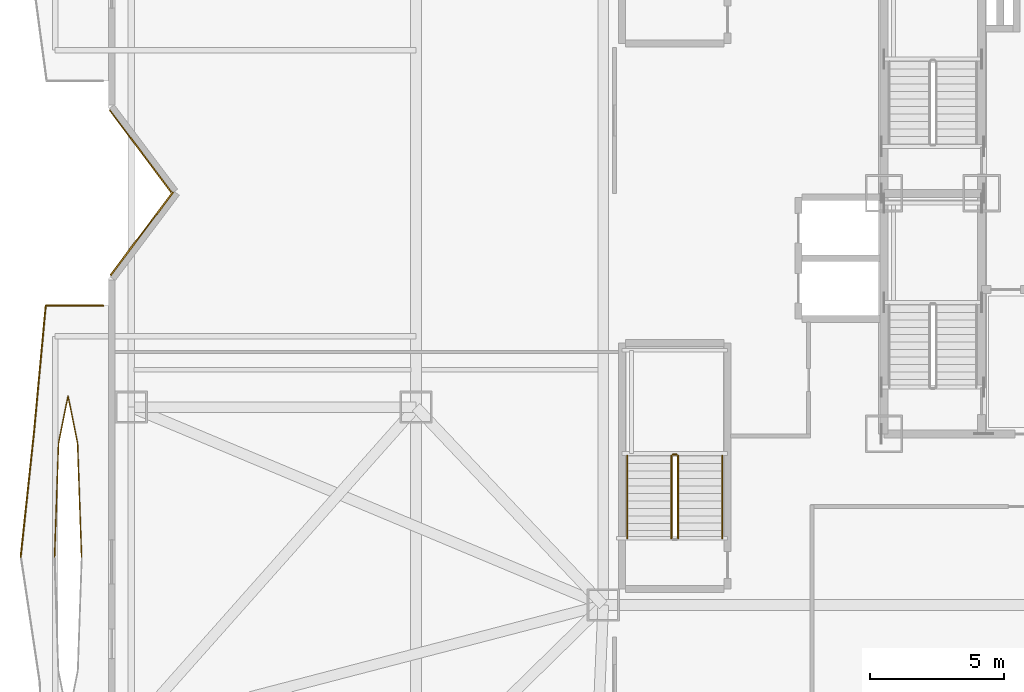
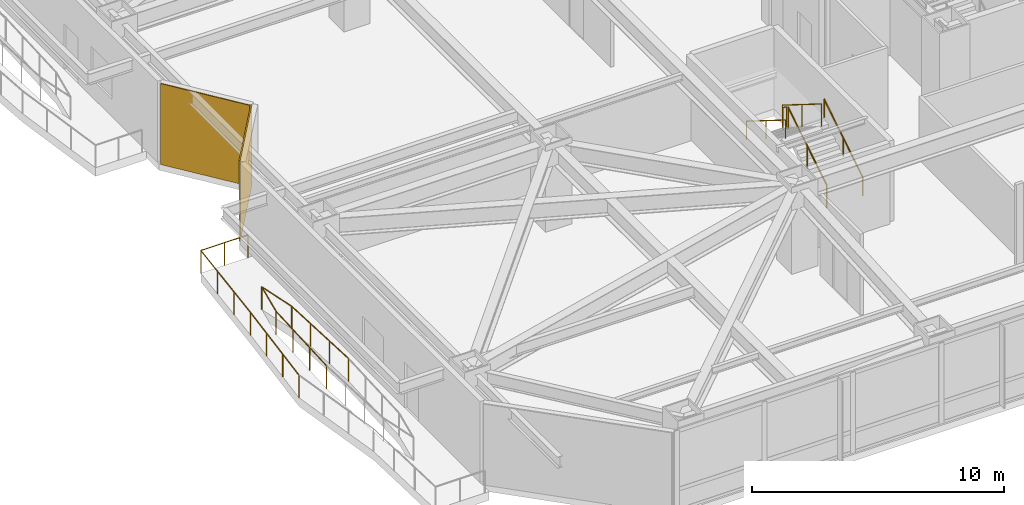
# One storey, part 27 of 32: 7 railings, 2 coverings.
"""IFC4 building model written with IfcOpenShell, lengths in metres."""

from ifc_helpers import new_model, si_unit, direction, frame, origin, origin_2d, place, context, subcontext, project, spatial, rectangle, circle, extrude, material, layer, layer_set, type_object, element, save


model = new_model("IFC4")

# Units and contexts
model_context = context("Model", 3, precision=1e-05, world=origin(), true_north=direction((0.0, 1.0)))
body_context = subcontext(model_context, "Body", "Model", "MODEL_VIEW")
ifc_project = project(units=[si_unit("LENGTHUNIT", "METRE"), si_unit("AREAUNIT", "SQUARE_METRE"), si_unit("VOLUMEUNIT", "CUBIC_METRE"), si_unit("PLANEANGLEUNIT", "RADIAN"), si_unit("MASSUNIT", "GRAM", prefix="KILO")], contexts=[model_context])

# Site, building, storey
site_placement = place(None, origin())
site = spatial("IfcSite", under=ifc_project, at=site_placement, CompositionType="ELEMENT")
building_placement = place(site_placement, origin())
building = spatial("IfcBuilding", under=site, at=building_placement, Name="Khamvora Tower", CompositionType="ELEMENT")
storey_placement = place(building_placement, frame((0.0, 0.0, 12.0)))
storey = spatial("IfcBuildingStorey", under=building, at=storey_placement, Name="L02", CompositionType="ELEMENT", Elevation=12.0)

# Coverings
ifc_material_1 = material(Name="Pale Anodised Aluminium Rainscreen Panel", Category="aluminium")
ifc_layer_1 = layer(ifc_material_1, 0.044921875)
ifc_layer_set_1 = layer_set([ifc_layer_1], Name="Pale Anodised Aluminium Rainscreen Panel")
covering_type_1 = type_object("IfcCoveringType", Name="COV-CLD-ALU", PredefinedType="CLADDING", material=ifc_layer_set_1)
covering_1_placement = place(storey_placement, frame((1.193115234375, 29.5791015625, 0.0), z_axis=(0.0, 0.0, 1.0), x_axis=(-0.600000000002, 0.799999999998, 0.0)))
element("IfcCovering", 1, at=covering_1_placement, inside=storey, type_object=covering_type_1, Name="L02 chamfer rainscreen cladding 04.1", PredefinedType="CLADDING", context=body_context, shape_type="SweptSolid", body=[
    extrude(rectangle(XDim=3.844970703125, YDim=0.044921875, at=origin_2d()), origin(), (0.0, 0.0, 1.0), 3.919921875),
])
ifc_material_2 = material(Name="Anodised Bronze Aluminium Spandrel Panel", Category="aluminium")
ifc_layer_2 = layer(ifc_material_2, 0.054931640625)
ifc_layer_set_2 = layer_set([ifc_layer_2], Name="Anodised Bronze Aluminium Spandrel Panel")
covering_type_2 = type_object("IfcCoveringType", Name="COV-CLD-BRZ", PredefinedType="CLADDING", material=ifc_layer_set_2)
covering_2_placement = place(storey_placement, frame((1.243896484375, 26.488037109375, 0.0), z_axis=(0.0, 0.0, 1.0), x_axis=(0.600040135704, 0.799969896649, 0.0)))
element("IfcCovering", 2, at=covering_2_placement, inside=storey, type_object=covering_type_2, Name="L02 chamfer rainscreen cladding 03.1", PredefinedType="CLADDING", context=body_context, shape_type="SweptSolid", body=[
    extrude(rectangle(XDim=3.885986328125, YDim=0.054931640625, at=origin_2d()), origin(), (0.0, 0.0, 1.0), 3.919921875),
])

# Railings
ifc_material_3 = material(Name="Stainless Steel 316 and Laminated Glass", Category="steel")
railing_type_1 = type_object("IfcRailingType", Name="RAL-GAL-1120", PredefinedType="GUARDRAIL", material=ifc_material_3)
railing_1_placement = place(storey_placement, frame((-3.2880859375, 14.39990234375, 0.0)))
element("IfcRailing", 3, at=railing_1_placement, inside=storey, type_object=railing_type_1, Name="L02 lens gallery north perimeter guardrail WL1", PredefinedType="GUARDRAIL", context=body_context, shape_type="SweptSolid", body=[
    extrude(circle(Radius=0.02392578125, at=origin_2d()), frame((0.0, 0.0, 1.09619140625), z_axis=(0.106241333318, 0.994340373863, 0.0), x_axis=(-0.994340373863, 0.106241333318, 0.0)), (0.0, 0.0, 1.0), 4.72705078125),
    extrude(circle(Radius=0.02392578125, at=origin_2d()), frame((0.502197265625, 4.7001953125, 1.09619140625), z_axis=(0.092121283105, 0.995747793971, 0.0), x_axis=(-0.995747793971, 0.092121283105, 0.0)), (0.0, 0.0, 1.0), 4.719970703125),
    extrude(circle(Radius=0.02392578125, at=origin_2d()), frame((0.93701171875, 9.400146484375, 1.09619140625), z_axis=(1.0, 0.0, 0.0), x_axis=(0.0, 1.0, 0.0)), (0.0, 0.0, 1.0), 2.151123046875),
    extrude(circle(Radius=0.02099609375, at=origin_2d()), origin(), (0.0, 0.0, 1.0), 1.072021484375),
    extrude(circle(Radius=0.02099609375, at=origin_2d()), frame((0.16748046875, 1.566650390625, 0.0)), (0.0, 0.0, 1.0), 1.072021484375),
    extrude(circle(Radius=0.02099609375, at=origin_2d()), frame((0.334716796875, 3.133544921875, 0.0)), (0.0, 0.0, 1.0), 1.072021484375),
    extrude(circle(Radius=0.02099609375, at=origin_2d()), frame((0.502197265625, 4.7001953125, 0.0)), (0.0, 0.0, 1.0), 1.072021484375),
    extrude(circle(Radius=0.02099609375, at=origin_2d()), frame((0.647216796875, 6.266845703125, 0.0)), (0.0, 0.0, 1.0), 1.072021484375),
    extrude(circle(Radius=0.02099609375, at=origin_2d()), frame((0.7919921875, 7.83349609375, 0.0)), (0.0, 0.0, 1.0), 1.072021484375),
    extrude(circle(Radius=0.02099609375, at=origin_2d()), frame((0.93701171875, 9.400146484375, 0.0)), (0.0, 0.0, 1.0), 1.072021484375),
    extrude(circle(Radius=0.02099609375, at=origin_2d()), frame((2.0126953125, 9.400146484375, 0.0)), (0.0, 0.0, 1.0), 1.072021484375),
    extrude(circle(Radius=0.02099609375, at=origin_2d()), frame((3.088134765625, 9.400146484375, 0.0)), (0.0, 0.0, 1.0), 1.072021484375),
])
railing_2_placement = place(storey_placement, frame((-1.010986328125, 14.39990234375, 0.0)))
element("IfcRailing", 4, at=railing_2_placement, inside=storey, type_object=railing_type_1, Name="L02 lens gallery void guardrail WL1A", PredefinedType="GUARDRAIL", context=body_context, shape_type="SweptSolid", body=[
    extrude(circle(Radius=0.02392578125, at=origin_2d()), frame((0.0, 0.0, 1.09619140625), z_axis=(-0.034756605959, 0.999395806646, 0.0), x_axis=(-0.999395806646, -0.034756605959, 0.0)), (0.0, 0.0, 1.0), 4.2568359375),
    extrude(circle(Radius=0.02392578125, at=origin_2d()), frame((-0.14794921875, 4.254150390625, 1.09619140625), z_axis=(-0.198022438185, 0.980197487232, 0.0), x_axis=(-0.980197487232, -0.198022438185, 0.0)), (0.0, 0.0, 1.0), 1.797607421875),
    extrude(circle(Radius=0.02392578125, at=origin_2d()), frame((-0.50390625, 6.01611328125, 1.09619140625), z_axis=(-0.198152924969, -0.98017111686, 0.0), x_axis=(0.98017111686, -0.198152924969, 0.0)), (0.0, 0.0, 1.0), 1.797607421875),
    extrude(circle(Radius=0.02392578125, at=origin_2d()), frame((-0.860107421875, 4.254150390625, 1.09619140625), z_axis=(-0.034756605959, -0.999395806646, 0.0), x_axis=(0.999395806646, -0.034756605959, 0.0)), (0.0, 0.0, 1.0), 4.2568359375),
    extrude(circle(Radius=0.02099609375, at=origin_2d()), origin(), (0.0, 0.0, 1.0), 1.072021484375),
    extrude(circle(Radius=0.02099609375, at=origin_2d()), frame((-0.04931640625, 1.41796875, 0.0)), (0.0, 0.0, 1.0), 1.072021484375),
    extrude(circle(Radius=0.02099609375, at=origin_2d()), frame((-0.0986328125, 2.836181640625, 0.0)), (0.0, 0.0, 1.0), 1.072021484375),
    extrude(circle(Radius=0.02099609375, at=origin_2d()), frame((-0.14794921875, 4.254150390625, 0.0)), (0.0, 0.0, 1.0), 1.072021484375),
    extrude(circle(Radius=0.02099609375, at=origin_2d()), frame((-0.50390625, 6.01611328125, 0.0)), (0.0, 0.0, 1.0), 1.072021484375),
    extrude(circle(Radius=0.02099609375, at=origin_2d()), frame((-0.860107421875, 4.254150390625, 0.0)), (0.0, 0.0, 1.0), 1.072021484375),
    extrude(circle(Radius=0.02099609375, at=origin_2d()), frame((-0.909423828125, 2.836181640625, 0.0)), (0.0, 0.0, 1.0), 1.072021484375),
    extrude(circle(Radius=0.02099609375, at=origin_2d()), frame((-0.958740234375, 1.41796875, 0.0)), (0.0, 0.0, 1.0), 1.072021484375),
    extrude(circle(Radius=0.02099609375, at=origin_2d()), frame((-1.008056640625, 0.0, 0.0)), (0.0, 0.0, 1.0), 1.072021484375),
])
ifc_material_4 = material(Name="Brushed Stainless Steel 316", Category="steel")
railing_type_2 = type_object("IfcRailingType", Name="RAL-HDR-920", PredefinedType="HANDRAIL", material=ifc_material_4)
railing_3_placement = place(storey_placement, frame((22.949951171875, 15.10009765625, 0.175048828125)))
element("IfcRailing", 5, at=railing_3_placement, inside=storey, type_object=railing_type_2, Name="L02 ST-03 stair handrail 1", PredefinedType="HANDRAIL", context=body_context, shape_type="SweptSolid", body=[
    extrude(circle(Radius=0.02392578125, at=origin_2d()), frame((0.0, 0.0, 0.8759765625), z_axis=(0.0, 0.847979421464, 0.530029150871), x_axis=(-1.0, 0.0, 0.0)), (0.0, 0.0, 1.0), 3.632080078125),
    extrude(circle(Radius=0.02099609375, at=origin_2d()), origin(), (0.0, 0.0, 1.0), 0.851806640625),
    extrude(circle(Radius=0.02099609375, at=origin_2d()), frame((0.0, 1.5400390625, 0.96240234375)), (0.0, 0.0, 1.0), 0.851806640625),
    extrude(circle(Radius=0.02099609375, at=origin_2d()), frame((0.0, 3.079833984375, 1.925048828125)), (0.0, 0.0, 1.0), 0.851806640625),
])
railing_4_placement = place(storey_placement, frame((19.39990234375, 18.179931640625, 2.27490234375)))
element("IfcRailing", 6, at=railing_4_placement, inside=storey, type_object=railing_type_2, Name="L02 ST-03 stair handrail 2", PredefinedType="HANDRAIL", context=body_context, shape_type="SweptSolid", body=[
    extrude(circle(Radius=0.02392578125, at=origin_2d()), frame((0.0, 0.0, 0.8759765625), z_axis=(0.0, -0.847979421464, 0.530029150871), x_axis=(1.0, 0.0, 0.0)), (0.0, 0.0, 1.0), 3.632080078125),
    extrude(circle(Radius=0.02099609375, at=origin_2d()), origin(), (0.0, 0.0, 1.0), 0.851806640625),
    extrude(circle(Radius=0.02099609375, at=origin_2d()), frame((0.0, -1.5400390625, 0.96240234375)), (0.0, 0.0, 1.0), 0.851806640625),
    extrude(circle(Radius=0.02099609375, at=origin_2d()), frame((0.0, -3.079833984375, 1.925048828125)), (0.0, 0.0, 1.0), 0.851806640625),
])
ifc_material_5 = material(Name="Stainless Steel 316", Category="steel")
railing_type_3 = type_object("IfcRailingType", Name="RAL-STG-1100", PredefinedType="GUARDRAIL", material=ifc_material_5)
railing_5_placement = place(storey_placement, frame((21.300048828125, 15.10009765625, 0.175048828125)))
element("IfcRailing", 7, at=railing_5_placement, inside=storey, type_object=railing_type_3, Name="L02 ST-03 stair guard 1", PredefinedType="GUARDRAIL", context=body_context, shape_type="SweptSolid", body=[
    extrude(circle(Radius=0.02392578125, at=origin_2d()), frame((0.0, 0.0, 1.076171875), z_axis=(0.0, 0.847979421464, 0.530029150871), x_axis=(-1.0, 0.0, 0.0)), (0.0, 0.0, 1.0), 3.632080078125),
    extrude(circle(Radius=0.02099609375, at=origin_2d()), origin(), (0.0, 0.0, 1.0), 1.052001953125),
    extrude(circle(Radius=0.02099609375, at=origin_2d()), frame((0.0, 1.5400390625, 0.96240234375)), (0.0, 0.0, 1.0), 1.052001953125),
    extrude(circle(Radius=0.02099609375, at=origin_2d()), frame((0.0, 3.079833984375, 1.925048828125)), (0.0, 0.0, 1.0), 1.052001953125),
])
railing_6_placement = place(storey_placement, frame((21.25, 18.22998046875, 2.10009765625)))
element("IfcRailing", 8, at=railing_6_placement, inside=storey, type_object=railing_type_3, Name="L02 ST-03 stair guard 2", PredefinedType="GUARDRAIL", context=body_context, shape_type="SweptSolid", body=[
    extrude(circle(Radius=0.02392578125, at=origin_2d()), frame((0.0, 0.0, 1.076171875), z_axis=(-1.0, 0.0, 0.0), x_axis=(0.0, -1.0, 0.0)), (0.0, 0.0, 1.0), 0.14990234375),
    extrude(circle(Radius=0.02099609375, at=origin_2d()), origin(), (0.0, 0.0, 1.0), 1.052001953125),
    extrude(circle(Radius=0.02099609375, at=origin_2d()), frame((-0.14990234375, 0.0, 0.0)), (0.0, 0.0, 1.0), 1.052001953125),
])
railing_7_placement = place(storey_placement, frame((21.050048828125, 18.179931640625, 2.27490234375)))
element("IfcRailing", 9, at=railing_7_placement, inside=storey, type_object=railing_type_3, Name="L02 ST-03 stair guard 3", PredefinedType="GUARDRAIL", context=body_context, shape_type="SweptSolid", body=[
    extrude(circle(Radius=0.02392578125, at=origin_2d()), frame((0.0, 0.0, 1.076171875), z_axis=(0.0, -0.847979421464, 0.530029150871), x_axis=(1.0, 0.0, 0.0)), (0.0, 0.0, 1.0), 3.632080078125),
    extrude(circle(Radius=0.02099609375, at=origin_2d()), origin(), (0.0, 0.0, 1.0), 1.052001953125),
    extrude(circle(Radius=0.02099609375, at=origin_2d()), frame((0.0, -1.5400390625, 0.96240234375)), (0.0, 0.0, 1.0), 1.052001953125),
    extrude(circle(Radius=0.02099609375, at=origin_2d()), frame((0.0, -3.079833984375, 1.925048828125)), (0.0, 0.0, 1.0), 1.052001953125),
])

save(model, "model.ifc")
